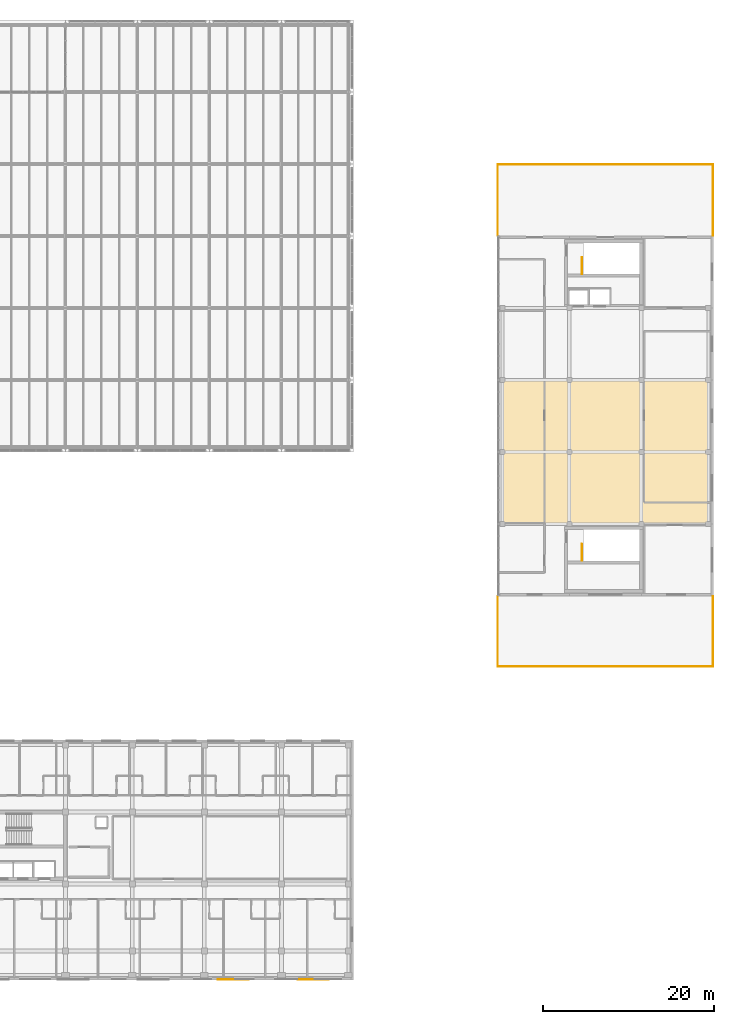
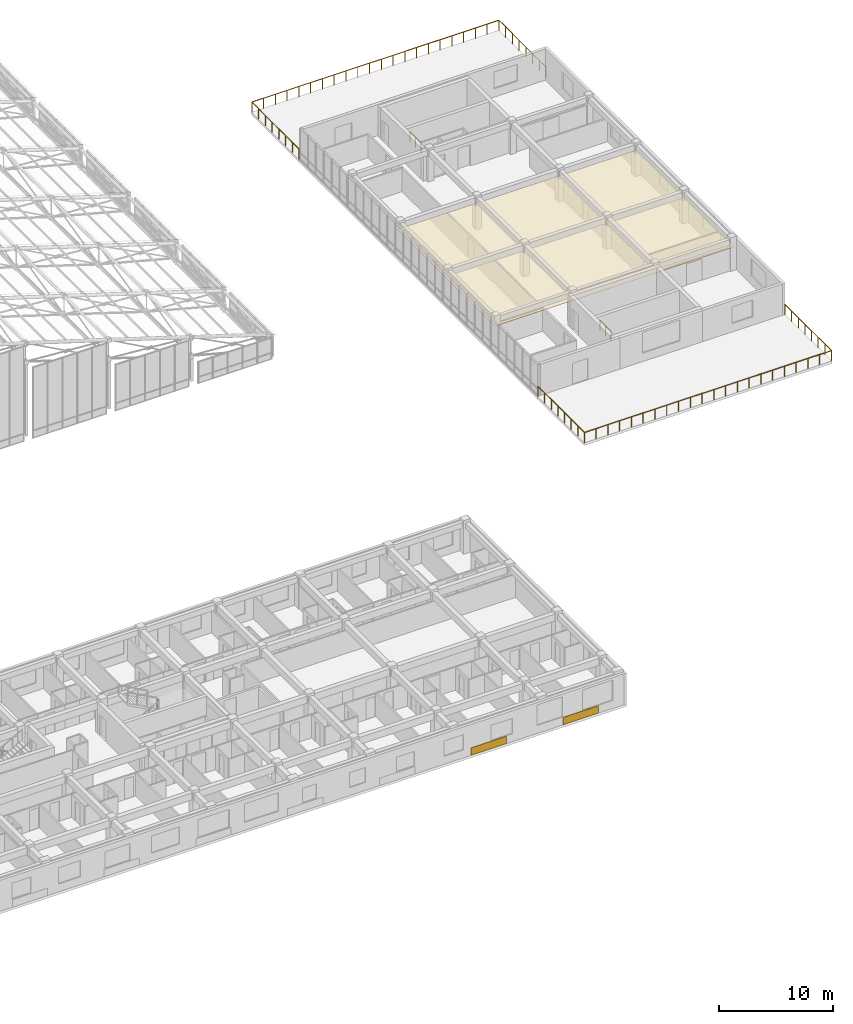
# One storey, part 144 of 144: 8 railings, 3 coverings.
"""IFC4 building model written with IfcOpenShell, lengths in metres."""

from ifc_helpers import new_model, si_unit, direction, frame, origin, origin_2d, place, context, subcontext, project, spatial, polyline, rectangle, circle, outline, extrude, material, layer, layer_set, type_object, element, save


model = new_model("IFC4")

# Units and contexts
model_context = context("Model", 3, precision=1e-05, world=origin(), true_north=direction((0.0, 1.0)))
body_context = subcontext(model_context, "Body", "Model", "MODEL_VIEW")
ifc_project = project(units=[si_unit("LENGTHUNIT", "METRE"), si_unit("AREAUNIT", "SQUARE_METRE"), si_unit("VOLUMEUNIT", "CUBIC_METRE"), si_unit("PLANEANGLEUNIT", "RADIAN"), si_unit("MASSUNIT", "GRAM", prefix="KILO")], contexts=[model_context])

# Site, building, storey
site_placement = place(None, origin())
site = spatial("IfcSite", under=ifc_project, at=site_placement, CompositionType="ELEMENT")
building_placement = place(site_placement, origin())
building = spatial("IfcBuilding", under=site, at=building_placement, Name="Zayran Congress Hotel", CompositionType="ELEMENT")
storey_placement = place(building_placement, frame((0.0, 0.0, 19.199951171875)))
storey = spatial("IfcBuildingStorey", under=building, at=storey_placement, Name="L04", CompositionType="ELEMENT", Elevation=19.199951171875)

# Coverings
ifc_material_1 = material(Name="Ochre geometric bas-relief Hajar Ma'ani stone", Category="masonry")
ifc_layer_1 = layer(ifc_material_1, 0.090087890625)
ifc_layer_set_1 = layer_set([ifc_layer_1], Name="Ochre geometric bas-relief Hajar Ma'ani stone")
covering_type_1 = type_object("IfcCoveringType", Name="TP-CLD-01", PredefinedType="CLADDING", material=ifc_layer_set_1)
for number, where, z_axis, x_axis, name in (
    (1, (78.39990234375, 6.044921875, 0.0), (0.0, 0.0, 1.0), (1.0, 0.0, 0.0), "CLD-V5S-L04-7"),
    (2, (87.73291015625, 6.044921875, 0.0), (0.0, 0.0, 1.0), (1.0, 0.0, 0.0), "CLD-V5S-L04-8"),
):
    element("IfcCovering", number, at=place(storey_placement, frame(where, z_axis=z_axis, x_axis=x_axis)), inside=storey, type_object=covering_type_1, Name=name, PredefinedType="CLADDING", context=body_context, shape_type="SweptSolid", body=[
        extrude(rectangle(XDim=3.60009765625, YDim=0.090087890625, at=origin_2d()), origin(), (0.0, 0.0, 1.0), 0.800048828125),
    ])

# Railings
ifc_material_2 = material(Name="Warm bronze anodised aluminium balustrade", Category="aluminium")
railing_type_1 = type_object("IfcRailingType", Name="TP-GRD-EXT", PredefinedType="GUARDRAIL", material=ifc_material_2)
railing_1_placement = place(storey_placement, frame((109.239990234375, 42.590087890625, 0.0)))
element("IfcRailing", 3, at=railing_1_placement, inside=storey, type_object=railing_type_1, Name="V4 L04 Terrace Perimeter Guard S", PredefinedType="GUARDRAIL", context=body_context, shape_type="SweptSolid", body=[
    extrude(circle(Radius=0.02392578125, at=origin_2d()), frame((0.0, 0.0, 1.09619140625), z_axis=(1.0, 0.0, 0.0), x_axis=(0.0, 1.0, 0.0)), (0.0, 0.0, 1.0), 25.1201171875),
    extrude(circle(Radius=0.02099609375, at=origin_2d()), origin(), (0.0, 0.0, 1.0), 1.072021484375),
    extrude(circle(Radius=0.02099609375, at=origin_2d()), frame((1.1962890625, 0.0, 0.0)), (0.0, 0.0, 1.0), 1.072021484375),
    extrude(circle(Radius=0.02099609375, at=origin_2d()), frame((2.392333984375, 0.0, 0.0)), (0.0, 0.0, 1.0), 1.072021484375),
    extrude(circle(Radius=0.02099609375, at=origin_2d()), frame((3.588623046875, 0.0, 0.0)), (0.0, 0.0, 1.0), 1.072021484375),
    extrude(circle(Radius=0.02099609375, at=origin_2d()), frame((4.78466796875, 0.0, 0.0)), (0.0, 0.0, 1.0), 1.072021484375),
    extrude(circle(Radius=0.02099609375, at=origin_2d()), frame((5.98095703125, 0.0, 0.0)), (0.0, 0.0, 1.0), 1.072021484375),
    extrude(circle(Radius=0.02099609375, at=origin_2d()), frame((7.17724609375, 0.0, 0.0)), (0.0, 0.0, 1.0), 1.072021484375),
    extrude(circle(Radius=0.02099609375, at=origin_2d()), frame((8.373291015625, 0.0, 0.0)), (0.0, 0.0, 1.0), 1.072021484375),
    extrude(circle(Radius=0.02099609375, at=origin_2d()), frame((9.569580078125, 0.0, 0.0)), (0.0, 0.0, 1.0), 1.072021484375),
    extrude(circle(Radius=0.02099609375, at=origin_2d()), frame((10.765869140625, 0.0, 0.0)), (0.0, 0.0, 1.0), 1.072021484375),
    extrude(circle(Radius=0.02099609375, at=origin_2d()), frame((11.9619140625, 0.0, 0.0)), (0.0, 0.0, 1.0), 1.072021484375),
    extrude(circle(Radius=0.02099609375, at=origin_2d()), frame((13.158203125, 0.0, 0.0)), (0.0, 0.0, 1.0), 1.072021484375),
    extrude(circle(Radius=0.02099609375, at=origin_2d()), frame((14.354248046875, 0.0, 0.0)), (0.0, 0.0, 1.0), 1.072021484375),
    extrude(circle(Radius=0.02099609375, at=origin_2d()), frame((15.550537109375, 0.0, 0.0)), (0.0, 0.0, 1.0), 1.072021484375),
    extrude(circle(Radius=0.02099609375, at=origin_2d()), frame((16.746826171875, 0.0, 0.0)), (0.0, 0.0, 1.0), 1.072021484375),
    extrude(circle(Radius=0.02099609375, at=origin_2d()), frame((17.94287109375, 0.0, 0.0)), (0.0, 0.0, 1.0), 1.072021484375),
    extrude(circle(Radius=0.02099609375, at=origin_2d()), frame((19.13916015625, 0.0, 0.0)), (0.0, 0.0, 1.0), 1.072021484375),
    extrude(circle(Radius=0.02099609375, at=origin_2d()), frame((20.33544921875, 0.0, 0.0)), (0.0, 0.0, 1.0), 1.072021484375),
    extrude(circle(Radius=0.02099609375, at=origin_2d()), frame((21.531494140625, 0.0, 0.0)), (0.0, 0.0, 1.0), 1.072021484375),
    extrude(circle(Radius=0.02099609375, at=origin_2d()), frame((22.727783203125, 0.0, 0.0)), (0.0, 0.0, 1.0), 1.072021484375),
    extrude(circle(Radius=0.02099609375, at=origin_2d()), frame((23.923828125, 0.0, 0.0)), (0.0, 0.0, 1.0), 1.072021484375),
    extrude(circle(Radius=0.02099609375, at=origin_2d()), frame((25.1201171875, 0.0, 0.0)), (0.0, 0.0, 1.0), 1.072021484375),
])
railing_2_placement = place(storey_placement, frame((109.239990234375, 50.760009765625, 0.0)))
element("IfcRailing", 4, at=railing_2_placement, inside=storey, type_object=railing_type_1, Name="V4 L04 Terrace Perimeter Guard W", PredefinedType="GUARDRAIL", context=body_context, shape_type="SweptSolid", body=[
    extrude(circle(Radius=0.02392578125, at=origin_2d()), frame((0.0, 0.0, 1.09619140625), z_axis=(0.0, -1.0, 0.0), x_axis=(1.0, 0.0, 0.0)), (0.0, 0.0, 1.0), 8.169921875),
    extrude(circle(Radius=0.02099609375, at=origin_2d()), origin(), (0.0, 0.0, 1.0), 1.072021484375),
    extrude(circle(Radius=0.02099609375, at=origin_2d()), frame((0.0, -1.167236328125, 0.0)), (0.0, 0.0, 1.0), 1.072021484375),
    extrude(circle(Radius=0.02099609375, at=origin_2d()), frame((0.0, -2.334228515625, 0.0)), (0.0, 0.0, 1.0), 1.072021484375),
    extrude(circle(Radius=0.02099609375, at=origin_2d()), frame((0.0, -3.50146484375, 0.0)), (0.0, 0.0, 1.0), 1.072021484375),
    extrude(circle(Radius=0.02099609375, at=origin_2d()), frame((0.0, -4.66845703125, 0.0)), (0.0, 0.0, 1.0), 1.072021484375),
    extrude(circle(Radius=0.02099609375, at=origin_2d()), frame((0.0, -5.835693359375, 0.0)), (0.0, 0.0, 1.0), 1.072021484375),
    extrude(circle(Radius=0.02099609375, at=origin_2d()), frame((0.0, -7.002685546875, 0.0)), (0.0, 0.0, 1.0), 1.072021484375),
    extrude(circle(Radius=0.02099609375, at=origin_2d()), frame((0.0, -8.169921875, 0.0)), (0.0, 0.0, 1.0), 1.072021484375),
])
railing_3_placement = place(storey_placement, frame((134.360107421875, 42.590087890625, 0.0)))
element("IfcRailing", 5, at=railing_3_placement, inside=storey, type_object=railing_type_1, Name="V4 L04 Terrace Perimeter Guard E", PredefinedType="GUARDRAIL", context=body_context, shape_type="SweptSolid", body=[
    extrude(circle(Radius=0.02392578125, at=origin_2d()), frame((0.0, 0.0, 1.09619140625), z_axis=(0.0, 1.0, 0.0), x_axis=(-1.0, 0.0, 0.0)), (0.0, 0.0, 1.0), 8.169921875),
    extrude(circle(Radius=0.02099609375, at=origin_2d()), origin(), (0.0, 0.0, 1.0), 1.072021484375),
    extrude(circle(Radius=0.02099609375, at=origin_2d()), frame((0.0, 1.167236328125, 0.0)), (0.0, 0.0, 1.0), 1.072021484375),
    extrude(circle(Radius=0.02099609375, at=origin_2d()), frame((0.0, 2.334228515625, 0.0)), (0.0, 0.0, 1.0), 1.072021484375),
    extrude(circle(Radius=0.02099609375, at=origin_2d()), frame((0.0, 3.50146484375, 0.0)), (0.0, 0.0, 1.0), 1.072021484375),
    extrude(circle(Radius=0.02099609375, at=origin_2d()), frame((0.0, 4.66845703125, 0.0)), (0.0, 0.0, 1.0), 1.072021484375),
    extrude(circle(Radius=0.02099609375, at=origin_2d()), frame((0.0, 5.835693359375, 0.0)), (0.0, 0.0, 1.0), 1.072021484375),
    extrude(circle(Radius=0.02099609375, at=origin_2d()), frame((0.0, 7.002685546875, 0.0)), (0.0, 0.0, 1.0), 1.072021484375),
    extrude(circle(Radius=0.02099609375, at=origin_2d()), frame((0.0, 8.169921875, 0.0)), (0.0, 0.0, 1.0), 1.072021484375),
])
railing_4_placement = place(storey_placement, frame((134.360107421875, 101.159912109375, 0.0)))
element("IfcRailing", 6, at=railing_4_placement, inside=storey, type_object=railing_type_1, Name="V4 L04 Terrace Perimeter Guard N", PredefinedType="GUARDRAIL", context=body_context, shape_type="SweptSolid", body=[
    extrude(circle(Radius=0.02392578125, at=origin_2d()), frame((0.0, 0.0, 1.09619140625), z_axis=(-1.0, 0.0, 0.0), x_axis=(0.0, -1.0, 0.0)), (0.0, 0.0, 1.0), 25.1201171875),
    extrude(circle(Radius=0.02099609375, at=origin_2d()), origin(), (0.0, 0.0, 1.0), 1.072021484375),
    extrude(circle(Radius=0.02099609375, at=origin_2d()), frame((-1.1962890625, 0.0, 0.0)), (0.0, 0.0, 1.0), 1.072021484375),
    extrude(circle(Radius=0.02099609375, at=origin_2d()), frame((-2.392333984375, 0.0, 0.0)), (0.0, 0.0, 1.0), 1.072021484375),
    extrude(circle(Radius=0.02099609375, at=origin_2d()), frame((-3.588623046875, 0.0, 0.0)), (0.0, 0.0, 1.0), 1.072021484375),
    extrude(circle(Radius=0.02099609375, at=origin_2d()), frame((-4.78466796875, 0.0, 0.0)), (0.0, 0.0, 1.0), 1.072021484375),
    extrude(circle(Radius=0.02099609375, at=origin_2d()), frame((-5.98095703125, 0.0, 0.0)), (0.0, 0.0, 1.0), 1.072021484375),
    extrude(circle(Radius=0.02099609375, at=origin_2d()), frame((-7.17724609375, 0.0, 0.0)), (0.0, 0.0, 1.0), 1.072021484375),
    extrude(circle(Radius=0.02099609375, at=origin_2d()), frame((-8.373291015625, 0.0, 0.0)), (0.0, 0.0, 1.0), 1.072021484375),
    extrude(circle(Radius=0.02099609375, at=origin_2d()), frame((-9.569580078125, 0.0, 0.0)), (0.0, 0.0, 1.0), 1.072021484375),
    extrude(circle(Radius=0.02099609375, at=origin_2d()), frame((-10.765869140625, 0.0, 0.0)), (0.0, 0.0, 1.0), 1.072021484375),
    extrude(circle(Radius=0.02099609375, at=origin_2d()), frame((-11.9619140625, 0.0, 0.0)), (0.0, 0.0, 1.0), 1.072021484375),
    extrude(circle(Radius=0.02099609375, at=origin_2d()), frame((-13.158203125, 0.0, 0.0)), (0.0, 0.0, 1.0), 1.072021484375),
    extrude(circle(Radius=0.02099609375, at=origin_2d()), frame((-14.354248046875, 0.0, 0.0)), (0.0, 0.0, 1.0), 1.072021484375),
    extrude(circle(Radius=0.02099609375, at=origin_2d()), frame((-15.550537109375, 0.0, 0.0)), (0.0, 0.0, 1.0), 1.072021484375),
    extrude(circle(Radius=0.02099609375, at=origin_2d()), frame((-16.746826171875, 0.0, 0.0)), (0.0, 0.0, 1.0), 1.072021484375),
    extrude(circle(Radius=0.02099609375, at=origin_2d()), frame((-17.94287109375, 0.0, 0.0)), (0.0, 0.0, 1.0), 1.072021484375),
    extrude(circle(Radius=0.02099609375, at=origin_2d()), frame((-19.13916015625, 0.0, 0.0)), (0.0, 0.0, 1.0), 1.072021484375),
    extrude(circle(Radius=0.02099609375, at=origin_2d()), frame((-20.33544921875, 0.0, 0.0)), (0.0, 0.0, 1.0), 1.072021484375),
    extrude(circle(Radius=0.02099609375, at=origin_2d()), frame((-21.531494140625, 0.0, 0.0)), (0.0, 0.0, 1.0), 1.072021484375),
    extrude(circle(Radius=0.02099609375, at=origin_2d()), frame((-22.727783203125, 0.0, 0.0)), (0.0, 0.0, 1.0), 1.072021484375),
    extrude(circle(Radius=0.02099609375, at=origin_2d()), frame((-23.923828125, 0.0, 0.0)), (0.0, 0.0, 1.0), 1.072021484375),
    extrude(circle(Radius=0.02099609375, at=origin_2d()), frame((-25.1201171875, 0.0, 0.0)), (0.0, 0.0, 1.0), 1.072021484375),
])
railing_5_placement = place(storey_placement, frame((109.239990234375, 101.159912109375, 0.0)))
element("IfcRailing", 7, at=railing_5_placement, inside=storey, type_object=railing_type_1, Name="V4 L04 Terrace Perimeter Guard W", PredefinedType="GUARDRAIL", context=body_context, shape_type="SweptSolid", body=[
    extrude(circle(Radius=0.02392578125, at=origin_2d()), frame((0.0, 0.0, 1.09619140625), z_axis=(0.0, -1.0, 0.0), x_axis=(1.0, 0.0, 0.0)), (0.0, 0.0, 1.0), 8.31982421875),
    extrude(circle(Radius=0.02099609375, at=origin_2d()), origin(), (0.0, 0.0, 1.0), 1.072021484375),
    extrude(circle(Radius=0.02099609375, at=origin_2d()), frame((0.0, -1.1884765625, 0.0)), (0.0, 0.0, 1.0), 1.072021484375),
    extrude(circle(Radius=0.02099609375, at=origin_2d()), frame((0.0, -2.377197265625, 0.0)), (0.0, 0.0, 1.0), 1.072021484375),
    extrude(circle(Radius=0.02099609375, at=origin_2d()), frame((0.0, -3.565673828125, 0.0)), (0.0, 0.0, 1.0), 1.072021484375),
    extrude(circle(Radius=0.02099609375, at=origin_2d()), frame((0.0, -4.754150390625, 0.0)), (0.0, 0.0, 1.0), 1.072021484375),
    extrude(circle(Radius=0.02099609375, at=origin_2d()), frame((0.0, -5.942626953125, 0.0)), (0.0, 0.0, 1.0), 1.072021484375),
    extrude(circle(Radius=0.02099609375, at=origin_2d()), frame((0.0, -7.13134765625, 0.0)), (0.0, 0.0, 1.0), 1.072021484375),
    extrude(circle(Radius=0.02099609375, at=origin_2d()), frame((0.0, -8.31982421875, 0.0)), (0.0, 0.0, 1.0), 1.072021484375),
])
railing_6_placement = place(storey_placement, frame((134.360107421875, 92.840087890625, 0.0)))
element("IfcRailing", 8, at=railing_6_placement, inside=storey, type_object=railing_type_1, Name="V4 L04 Terrace Perimeter Guard E", PredefinedType="GUARDRAIL", context=body_context, shape_type="SweptSolid", body=[
    extrude(circle(Radius=0.02392578125, at=origin_2d()), frame((0.0, 0.0, 1.09619140625), z_axis=(0.0, 1.0, 0.0), x_axis=(-1.0, 0.0, 0.0)), (0.0, 0.0, 1.0), 8.31982421875),
    extrude(circle(Radius=0.02099609375, at=origin_2d()), origin(), (0.0, 0.0, 1.0), 1.072021484375),
    extrude(circle(Radius=0.02099609375, at=origin_2d()), frame((0.0, 1.1884765625, 0.0)), (0.0, 0.0, 1.0), 1.072021484375),
    extrude(circle(Radius=0.02099609375, at=origin_2d()), frame((0.0, 2.377197265625, 0.0)), (0.0, 0.0, 1.0), 1.072021484375),
    extrude(circle(Radius=0.02099609375, at=origin_2d()), frame((0.0, 3.565673828125, 0.0)), (0.0, 0.0, 1.0), 1.072021484375),
    extrude(circle(Radius=0.02099609375, at=origin_2d()), frame((0.0, 4.754150390625, 0.0)), (0.0, 0.0, 1.0), 1.072021484375),
    extrude(circle(Radius=0.02099609375, at=origin_2d()), frame((0.0, 5.942626953125, 0.0)), (0.0, 0.0, 1.0), 1.072021484375),
    extrude(circle(Radius=0.02099609375, at=origin_2d()), frame((0.0, 7.13134765625, 0.0)), (0.0, 0.0, 1.0), 1.072021484375),
    extrude(circle(Radius=0.02099609375, at=origin_2d()), frame((0.0, 8.31982421875, 0.0)), (0.0, 0.0, 1.0), 1.072021484375),
])
ifc_material_3 = material(Name="Painted steel balustrade", Category="steel")
railing_type_2 = type_object("IfcRailingType", Name="TP-GRD-INT", PredefinedType="GUARDRAIL", material=ifc_material_3)
railing_7_placement = place(storey_placement, frame((119.050048828125, 88.360107421875, 0.0)))
element("IfcRailing", 9, at=railing_7_placement, inside=storey, type_object=railing_type_2, Name="L04 ST-07 top well guard 1", PredefinedType="GUARDRAIL", context=body_context, shape_type="SweptSolid", body=[
    extrude(circle(Radius=0.02392578125, at=origin_2d()), frame((0.0, 0.0, 1.076171875), z_axis=(0.0, 1.0, 0.0), x_axis=(-1.0, 0.0, 0.0)), (0.0, 0.0, 1.0), 1.93994140625),
    extrude(circle(Radius=0.02099609375, at=origin_2d()), origin(), (0.0, 0.0, 1.0), 1.052001953125),
    extrude(circle(Radius=0.02099609375, at=origin_2d()), frame((0.0, 0.969970703125, 0.0)), (0.0, 0.0, 1.0), 1.052001953125),
    extrude(circle(Radius=0.02099609375, at=origin_2d()), frame((0.0, 1.93994140625, 0.0)), (0.0, 0.0, 1.0), 1.052001953125),
])
railing_8_placement = place(storey_placement, frame((119.050048828125, 54.909912109375, 0.0)))
element("IfcRailing", 10, at=railing_8_placement, inside=storey, type_object=railing_type_2, Name="L04 ST-08 top well guard 1", PredefinedType="GUARDRAIL", context=body_context, shape_type="SweptSolid", body=[
    extrude(circle(Radius=0.02392578125, at=origin_2d()), frame((0.0, 0.0, 1.076171875), z_axis=(0.0, 1.0, 0.0), x_axis=(-1.0, 0.0, 0.0)), (0.0, 0.0, 1.0), 1.940185546875),
    extrude(circle(Radius=0.02099609375, at=origin_2d()), origin(), (0.0, 0.0, 1.0), 1.052001953125),
    extrude(circle(Radius=0.02099609375, at=origin_2d()), frame((0.0, 0.97021484375, 0.0)), (0.0, 0.0, 1.0), 1.052001953125),
    extrude(circle(Radius=0.02099609375, at=origin_2d()), frame((0.0, 1.940185546875, 0.0)), (0.0, 0.0, 1.0), 1.052001953125),
])

# Covering
ifc_material_4 = material(Name="Perforated acoustic gypsum ceiling board", Category="gypsum")
ifc_layer_2 = layer(ifc_material_4, 0.044921875)
ifc_layer_set_2 = layer_set([ifc_layer_2], Name="Perforated acoustic gypsum ceiling board")
covering_type_2 = type_object("IfcCoveringType", Name="TP-CLG-AC1", PredefinedType="CEILING", material=ifc_layer_set_2)
covering_placement = place(storey_placement, frame((0.0, 0.0, 2.400146484375)))
element("IfcCovering", 11, at=covering_placement, inside=storey, type_object=covering_type_2, Name="Acoustic Suspended Ceiling L04-08", PredefinedType="CEILING", context=body_context, shape_type="SweptSolid", body=[
    extrude(outline(polyline([(109.60009765625, 59.0), (134.0, 59.0), (134.0, 76.199951171875), (109.60009765625, 76.199951171875), (109.60009765625, 59.0)])), origin(), (0.0, 0.0, 1.0), 0.044921875),
])

save(model, "model.ifc")
